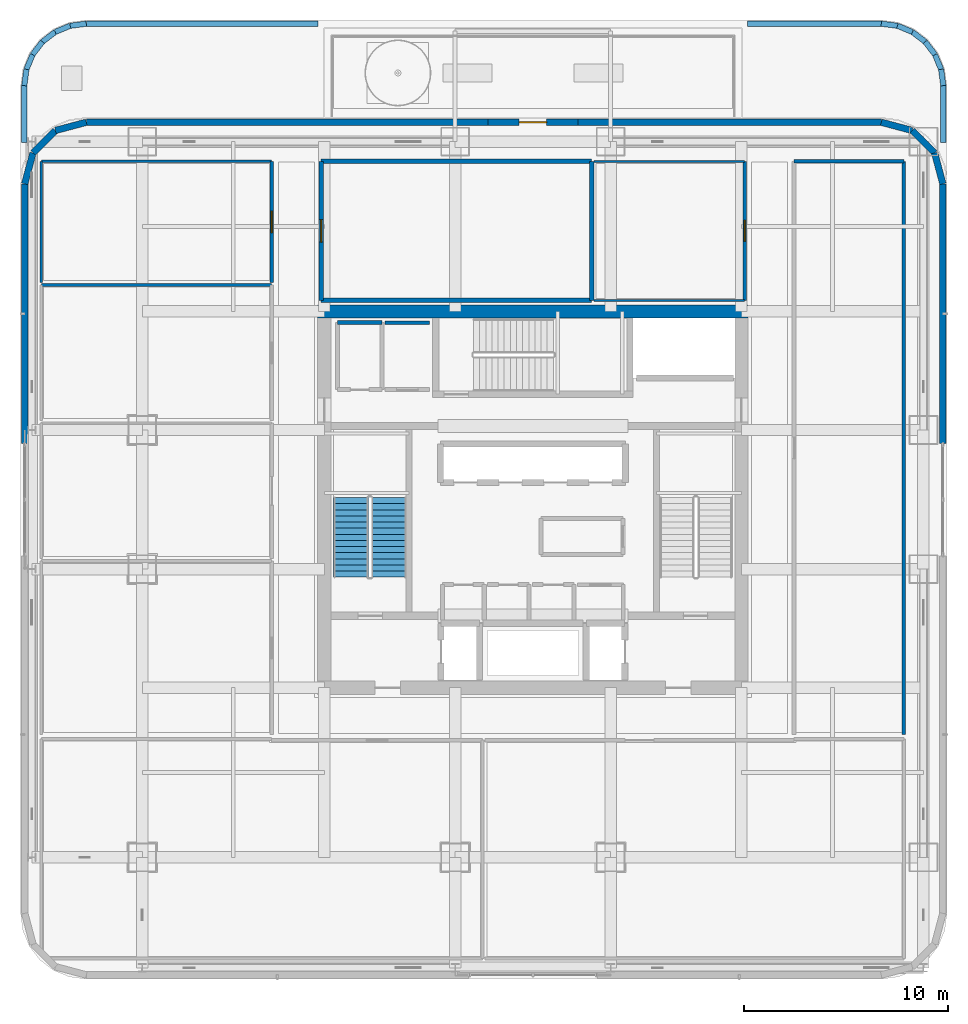
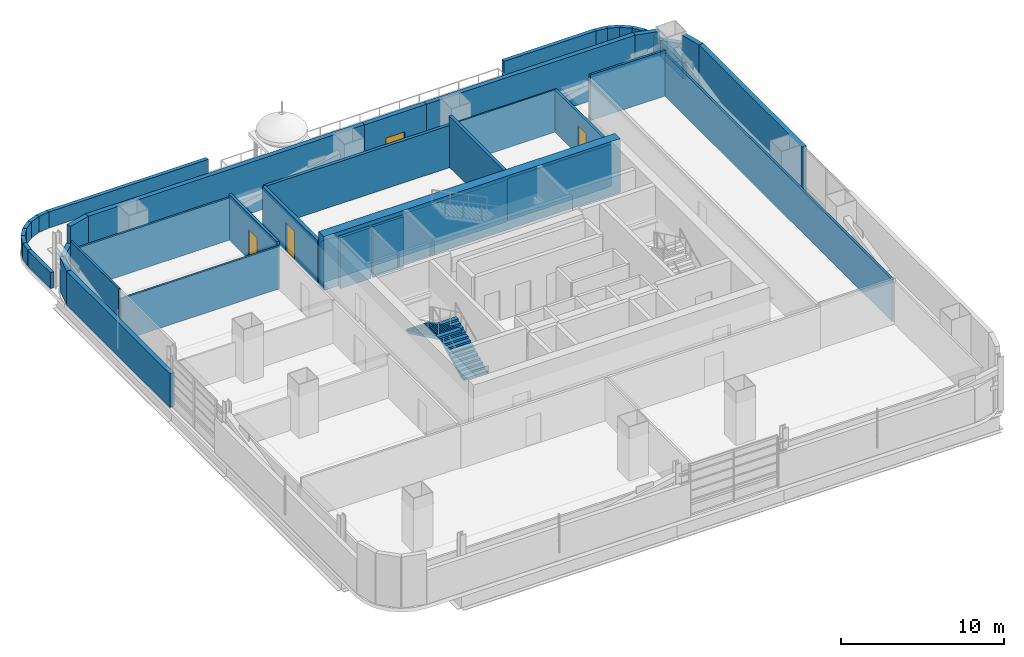
# One storey, part 12 of 29: 43 walls, 4 doors, 2 stair flights, 4 openings, 1 element without a shape of its own.
"""IFC4 building model written with IfcOpenShell, lengths in metres."""

from ifc_helpers import new_model, si_unit, direction, frame, frame_2d, origin, place, context, subcontext, project, spatial, polyline, rectangle, outline, extrude, material, layer, layer_set, type_object, element, fill, aggregate, save


model = new_model("IFC4")

# Units and contexts
model_context = context("Model", 3, precision=1e-05, world=origin(), true_north=direction((0.0, 1.0)))
body_context = subcontext(model_context, "Body", "Model", "MODEL_VIEW")
ifc_project = project(units=[si_unit("LENGTHUNIT", "METRE"), si_unit("AREAUNIT", "SQUARE_METRE"), si_unit("VOLUMEUNIT", "CUBIC_METRE"), si_unit("PLANEANGLEUNIT", "RADIAN"), si_unit("MASSUNIT", "GRAM", prefix="KILO")], contexts=[model_context])

# Site, building, storey
site_placement = place(None, origin())
site = spatial("IfcSite", under=ifc_project, at=site_placement, CompositionType="ELEMENT")
building_placement = place(site_placement, origin())
building = spatial("IfcBuilding", under=site, at=building_placement, Name="Punatoya Terracotta Tower", CompositionType="ELEMENT")
storey_placement = place(building_placement, frame((0.0, 0.0, 172.199951171875)))
storey = spatial("IfcBuildingStorey", under=building, at=storey_placement, Name="L40", CompositionType="ELEMENT", Elevation=172.199951171875)

# Walls
ifc_material_1 = material(Name="Concrete C60/75", Category="concrete")
ifc_layer_1 = layer(ifc_material_1, 0.64990234375)
ifc_layer_set_1 = layer_set([ifc_layer_1], Name="Concrete C60/75")
wall_type_1 = type_object("IfcWallType", Name="WL-COR-650", PredefinedType="SHEAR", material=ifc_layer_set_1)
wall_1_placement = place(storey_placement, frame((-10.52490234375, 9.199951171875, 0.0), z_axis=(0.0, 0.0, 1.0), x_axis=(1.0, 0.0, 0.0)))
element("IfcWall", 1, at=wall_1_placement, inside=storey, type_object=wall_type_1, Name="L40 Core Shear Wall N", PredefinedType="SHEAR", context=body_context, shape_type="SweptSolid", body=[
    extrude(rectangle(XDim=21.0498046875, YDim=0.64990234375, at=frame_2d((10.52490234375, 0.0))), origin(), (0.0, 0.0, 1.0), 4.050048828125),
])
ifc_material_2 = material(Name="Gypsum Fireboard + Steel Stud", Category="steel")
ifc_layer_2 = layer(ifc_material_2, 0.179931640625)
ifc_layer_set_2 = layer_set([ifc_layer_2], Name="Gypsum Fireboard + Steel Stud")
wall_type_2 = type_object("IfcWallType", Name="WL-CORR-180", PredefinedType="PARTITIONING", material=ifc_layer_set_2)
wall_2_placement = place(storey_placement, frame((-5.050048828125, 8.64990234375, 0.0), z_axis=(0.0, 0.0, 1.0), x_axis=(-1.0, 0.0, 0.0)))
element("IfcWall", 2, at=wall_2_placement, inside=storey, type_object=wall_type_2, Name="L40 West Core Print Room Partition 18", PredefinedType="PARTITIONING", context=body_context, shape_type="SweptSolid", body=[
    extrude(rectangle(XDim=2.169921875, YDim=0.179931640625, at=frame_2d((1.0849609375, 0.0))), origin(), (0.0, 0.0, 1.0), 3.830078125),
])

# Wall, opening, door
wall_3_placement = place(storey_placement, frame((10.360107421875, 16.5400390625, 0.0), z_axis=(0.0, 0.0, 1.0), x_axis=(0.0, -1.0, 0.0)))
wall_3 = element("IfcWall", 3, at=wall_3_placement, inside=storey, type_object=wall_type_2, Name="L40 Editorial Conference Room Partition 47", PredefinedType="PARTITIONING", context=body_context, shape_type="SweptSolid", body=[
    extrude(rectangle(XDim=6.800048828125, YDim=0.179931640625, at=frame_2d((3.39990234375, 0.0))), origin(), (0.0, 0.0, 1.0), 3.174072265625),
])
opening_1_placement = place(wall_3_placement, frame((2.889892578125, 0.0, 0.0)))
opening_1 = element("IfcOpeningElement", 4, at=opening_1_placement, cuts=wall_3, Name="Opening MD-01", PredefinedType="OPENING", context=body_context, shape_type="SweptSolid", body=[
    extrude(rectangle(XDim=1.02001953125, YDim=2.199951171875, at=frame_2d((0.510009765625, 1.10009765625))), frame((0.0, 0.099853515625, 0.0), z_axis=(0.0, -1.0, 0.0), x_axis=(1.0, 0.0, 0.0)), (0.0, 0.0, 1.0), 0.199951171875),
])
ifc_material_3 = material(Name="Aluminium + Acoustic Glass Leaf", Category="aluminium")
door_type_1 = type_object("IfcDoorType", Name="DR-MTG-1020", OperationType="NOTDEFINED", PredefinedType="DOOR", material=ifc_material_3)
door_1_placement = place(opening_1_placement, origin())
door_1 = element("IfcDoor", 5, at=door_1_placement, inside=storey, type_object=door_type_1, Name="L40 Editorial Conference Room Door", OperationType="SINGLE_SWING_LEFT", OverallHeight=2.199951171875, OverallWidth=1.02001953125, PredefinedType="DOOR", context=body_context, shape_type="SweptSolid", body=[
    extrude(rectangle(XDim=1.02001953125, YDim=2.199951171875, at=frame_2d((0.510009765625, 1.10009765625))), frame((0.0, 0.02490234375, 0.0), z_axis=(0.0, -1.0, 0.0), x_axis=(1.0, 0.0, 0.0)), (0.0, 0.0, 1.0), 0.050048828125),
])
fill(opening_1, door_1)

wall_4_placement = place(storey_placement, frame((-12.77001953125, 16.5400390625, 0.0), z_axis=(0.0, 0.0, 1.0), x_axis=(0.0, -1.0, 0.0)))
wall_4 = element("IfcWall", 6, at=wall_4_placement, inside=storey, type_object=wall_type_2, Name="L40 Client Briefing Office Partition 49", PredefinedType="PARTITIONING", context=body_context, shape_type="SweptSolid", body=[
    extrude(rectangle(XDim=5.926025390625, YDim=0.179931640625, at=frame_2d((2.962890625, 0.0))), origin(), (0.0, 0.0, 1.0), 3.424072265625),
])
opening_2_placement = place(wall_4_placement, frame((2.43798828125, 0.0, 0.0)))
opening_2 = element("IfcOpeningElement", 7, at=opening_2_placement, cuts=wall_4, Name="Opening OD-01", PredefinedType="OPENING", context=body_context, shape_type="SweptSolid", body=[
    extrude(rectangle(XDim=1.050048828125, YDim=2.199951171875, at=frame_2d((0.52490234375, 1.10009765625))), frame((0.0, 0.099853515625, 0.0), z_axis=(0.0, -1.0, 0.0), x_axis=(1.0, 0.0, 0.0)), (0.0, 0.0, 1.0), 0.199951171875),
])
ifc_material_4 = material(Name="Bengal Teak Solid-Core Leaf")
door_type_2 = type_object("IfcDoorType", Name="DR-OFF-1050", OperationType="NOTDEFINED", PredefinedType="DOOR", material=ifc_material_4)
door_2_placement = place(opening_2_placement, origin())
door_2 = element("IfcDoor", 8, at=door_2_placement, inside=storey, type_object=door_type_2, Name="L40 Client Briefing Office Door", OperationType="SINGLE_SWING_RIGHT", OverallHeight=2.199951171875, OverallWidth=1.050048828125, PredefinedType="DOOR", context=body_context, shape_type="SweptSolid", body=[
    extrude(rectangle(XDim=1.050048828125, YDim=2.199951171875, at=frame_2d((0.52490234375, 1.10009765625))), frame((0.0, 0.02490234375, 0.0), z_axis=(0.0, -1.0, 0.0), x_axis=(1.0, 0.0, 0.0)), (0.0, 0.0, 1.0), 0.050048828125),
])
fill(opening_2, door_2)

# Walls
ifc_material_5 = material(Name="Precast concrete C40/50", Category="concrete")
ifc_layer_3 = layer(ifc_material_5, 0.320068359375)
ifc_layer_set_3 = layer_set([ifc_layer_3], Name="Precast concrete C40/50")
wall_type_3 = type_object("IfcWallType", Name="WL-EXT-320", PredefinedType="SOLIDWALL", material=ifc_layer_set_3)
wall_5_placement = place(storey_placement, frame((20.050048828125, 2.75, 0.0), z_axis=(0.0, 0.0, 1.0), x_axis=(0.0, 1.0, 0.0)))
element("IfcWall", 9, at=wall_5_placement, inside=storey, type_object=wall_type_3, Name="L40 Terracotta Braced Facade Wall E2", PredefinedType="SOLIDWALL", context=body_context, shape_type="SweptSolid", body=[
    extrude(rectangle(XDim=12.68701171875, YDim=0.320068359375, at=frame_2d((6.343505859375, 0.0))), origin(), (0.0, 0.0, 1.0), 3.830078125),
])
wall_6_placement = place(storey_placement, frame((20.050048828125, 15.43701171875, 0.0), z_axis=(0.0, 0.0, 1.0), x_axis=(-0.257847112249, 0.966185730957, 0.0)))
element("IfcWall", 10, at=wall_6_placement, inside=storey, type_object=wall_type_3, Name="L40 Rounded Terracotta Corner Pier 06", PredefinedType="SOLIDWALL", context=body_context, shape_type="SweptSolid", body=[
    extrude(rectangle(XDim=1.565185546875, YDim=0.320068359375, at=frame_2d((0.78271484375, 0.0))), origin(), (0.0, 0.0, 1.0), 3.830078125),
])
wall_7_placement = place(storey_placement, frame((19.646484375, 16.94921875, 0.0), z_axis=(0.0, 0.0, 1.0), x_axis=(-0.707106781187, 0.707106781187, 0.0)))
element("IfcWall", 11, at=wall_7_placement, inside=storey, type_object=wall_type_3, Name="L40 Rounded Terracotta Corner Pier 07", PredefinedType="SOLIDWALL", context=body_context, shape_type="SweptSolid", body=[
    extrude(rectangle(XDim=1.552001953125, YDim=0.320068359375, at=frame_2d((0.77587890625, 0.0))), origin(), (0.0, 0.0, 1.0), 3.174072265625),
])
wall_8_placement = place(storey_placement, frame((18.549072265625, 18.046630859375, 0.0), z_axis=(0.0, 0.0, 1.0), x_axis=(-0.966224582397, 0.257701486942, 0.0)))
element("IfcWall", 12, at=wall_8_placement, inside=storey, type_object=wall_type_3, Name="L40 Rounded Terracotta Corner Pier 08", PredefinedType="SOLIDWALL", context=body_context, shape_type="SweptSolid", body=[
    extrude(rectangle(XDim=1.565185546875, YDim=0.320068359375, at=frame_2d((0.78271484375, 0.0))), origin(), (0.0, 0.0, 1.0), 3.830078125),
])
wall_9_placement = place(storey_placement, frame((17.036865234375, 18.449951171875, 0.0), z_axis=(0.0, 0.0, 1.0), x_axis=(-1.0, 0.0, 0.0)))
element("IfcWall", 13, at=wall_9_placement, inside=storey, type_object=wall_type_3, Name="L40 Terracotta Braced Facade Wall N", PredefinedType="SOLIDWALL", context=body_context, shape_type="SweptSolid", body=[
    extrude(rectangle(XDim=14.8369140625, YDim=0.320068359375, at=frame_2d((7.41845703125, 0.0))), origin(), (0.0, 0.0, 1.0), 3.830078125),
])
wall_10_placement = place(storey_placement, frame((-2.199951171875, 18.449951171875, 0.0), z_axis=(0.0, 0.0, 1.0), x_axis=(-1.0, 0.0, 0.0)))
element("IfcWall", 14, at=wall_10_placement, inside=storey, type_object=wall_type_3, Name="L40 Terracotta Braced Facade Wall N", PredefinedType="SOLIDWALL", context=body_context, shape_type="SweptSolid", body=[
    extrude(rectangle(XDim=19.636962890625, YDim=0.320068359375, at=frame_2d((9.818359375, 0.0))), origin(), (0.0, 0.0, 1.0), 3.830078125),
])

# Wall, opening, door
wall_11_placement = place(storey_placement, frame((2.199951171875, 18.449951171875, 0.0), z_axis=(0.0, 0.0, 1.0), x_axis=(-1.0, 0.0, 0.0)))
wall_11 = element("IfcWall", 15, at=wall_11_placement, inside=storey, type_object=wall_type_3, Name="L40 Sky-Terrace Portal Wall N", PredefinedType="SOLIDWALL", context=body_context, shape_type="SweptSolid", body=[
    extrude(rectangle(XDim=4.39990234375, YDim=0.320068359375, at=frame_2d((2.199951171875, 0.0))), origin(), (0.0, 0.0, 1.0), 3.830078125),
])
opening_3_placement = place(wall_11_placement, frame((1.52490234375, 0.0, 0.0)))
opening_3 = element("IfcOpeningElement", 16, at=opening_3_placement, cuts=wall_11, Name="Opening TD-02", PredefinedType="OPENING", context=body_context, shape_type="SweptSolid", body=[
    extrude(rectangle(XDim=1.35009765625, YDim=2.300048828125, at=frame_2d((0.675048828125, 1.14990234375))), frame((0.0, 0.169921875, 0.0), z_axis=(0.0, -1.0, 0.0), x_axis=(1.0, 0.0, 0.0)), (0.0, 0.0, 1.0), 0.340087890625),
])
ifc_material_6 = material(Name="Aluminium 6063-T6 + Low-E Glass", Category="aluminium")
door_type_3 = type_object("IfcDoorType", Name="DR-TER-1350", OperationType="NOTDEFINED", PredefinedType="DOOR", material=ifc_material_6)
door_3_placement = place(opening_3_placement, origin())
door_3 = element("IfcDoor", 17, at=door_3_placement, inside=storey, type_object=door_type_3, Name="L40 Sky-Terrace Access Door N1", OperationType="SINGLE_SWING_LEFT", OverallHeight=2.300048828125, OverallWidth=1.35009765625, PredefinedType="DOOR", context=body_context, shape_type="SweptSolid", body=[
    extrude(rectangle(XDim=1.35009765625, YDim=2.300048828125, at=frame_2d((0.675048828125, 1.14990234375))), frame((0.0, 0.02490234375, 0.0), z_axis=(0.0, -1.0, 0.0), x_axis=(1.0, 0.0, 0.0)), (0.0, 0.0, 1.0), 0.050048828125),
])
fill(opening_3, door_3)

# Walls
wall_12_placement = place(storey_placement, frame((-21.8369140625, 18.449951171875, 0.0), z_axis=(0.0, 0.0, 1.0), x_axis=(-0.966224582397, -0.257701486942, 0.0)))
element("IfcWall", 18, at=wall_12_placement, inside=storey, type_object=wall_type_3, Name="L40 Rounded Terracotta Corner Pier 10", PredefinedType="SOLIDWALL", context=body_context, shape_type="SweptSolid", body=[
    extrude(rectangle(XDim=1.565185546875, YDim=0.320068359375, at=frame_2d((0.78271484375, 0.0))), origin(), (0.0, 0.0, 1.0), 3.830078125),
])
wall_13_placement = place(storey_placement, frame((-23.34912109375, 18.046630859375, 0.0), z_axis=(0.0, 0.0, 1.0), x_axis=(-0.707106781187, -0.707106781187, 0.0)))
element("IfcWall", 19, at=wall_13_placement, inside=storey, type_object=wall_type_3, Name="L40 Rounded Terracotta Corner Pier 11", PredefinedType="SOLIDWALL", context=body_context, shape_type="SweptSolid", body=[
    extrude(rectangle(XDim=1.552001953125, YDim=0.320068359375, at=frame_2d((0.77587890625, 0.0))), origin(), (0.0, 0.0, 1.0), 2.504150390625),
])
wall_14_placement = place(storey_placement, frame((-24.446533203125, 16.94921875, 0.0), z_axis=(0.0, 0.0, 1.0), x_axis=(-0.257847112249, -0.966185730957, 0.0)))
element("IfcWall", 20, at=wall_14_placement, inside=storey, type_object=wall_type_3, Name="L40 Rounded Terracotta Corner Pier 12", PredefinedType="SOLIDWALL", context=body_context, shape_type="SweptSolid", body=[
    extrude(rectangle(XDim=1.565185546875, YDim=0.320068359375, at=frame_2d((0.78271484375, 0.0))), origin(), (0.0, 0.0, 1.0), 2.5439453125),
])
wall_15_placement = place(storey_placement, frame((-24.85009765625, 15.43701171875, 0.0), z_axis=(0.0, 0.0, 1.0), x_axis=(0.0, -1.0, 0.0)))
element("IfcWall", 21, at=wall_15_placement, inside=storey, type_object=wall_type_3, Name="L40 Terracotta Braced Facade Wall W1", PredefinedType="SOLIDWALL", context=body_context, shape_type="SweptSolid", body=[
    extrude(rectangle(XDim=12.68701171875, YDim=0.320068359375, at=frame_2d((6.343505859375, 0.0))), origin(), (0.0, 0.0, 1.0), 2.5439453125),
])
ifc_material_7 = material(Name="Concrete C40/50", Category="concrete")
ifc_layer_4 = layer(ifc_material_7, 0.219970703125)
ifc_layer_set_4 = layer_set([ifc_layer_4], Name="Concrete C40/50")
wall_type_4 = type_object("IfcWallType", Name="WL-FIR-220", PredefinedType="SOLIDWALL", material=ifc_layer_set_4)
wall_16_placement = place(storey_placement, frame((-10.360107421875, 16.5400390625, 0.0), z_axis=(0.0, 0.0, 1.0), x_axis=(1.0, 0.0, 0.0)))
element("IfcWall", 22, at=wall_16_placement, inside=storey, type_object=wall_type_4, Name="L40 Model-Making Archive Partition 41", PredefinedType="SOLIDWALL", context=body_context, shape_type="SweptSolid", body=[
    extrude(rectangle(XDim=13.234130859375, YDim=0.219970703125, at=frame_2d((6.6171875, 0.0))), origin(), (0.0, 0.0, 1.0), 3.174072265625),
])
wall_17_placement = place(storey_placement, frame((2.8740234375, 16.5400390625, 0.0), z_axis=(0.0, 0.0, 1.0), x_axis=(0.0, -1.0, 0.0)))
element("IfcWall", 23, at=wall_17_placement, inside=storey, type_object=wall_type_4, Name="L40 Model-Making Archive Partition 42", PredefinedType="SOLIDWALL", context=body_context, shape_type="SweptSolid", body=[
    extrude(rectangle(XDim=6.800048828125, YDim=0.219970703125, at=frame_2d((3.39990234375, 0.0))), origin(), (0.0, 0.0, 1.0), 3.830078125),
])
wall_18_placement = place(storey_placement, frame((2.8740234375, 9.739990234375, 0.0), z_axis=(0.0, 0.0, 1.0), x_axis=(-1.0, 0.0, 0.0)))
element("IfcWall", 24, at=wall_18_placement, inside=storey, type_object=wall_type_4, Name="L40 Model-Making Archive Partition 43", PredefinedType="SOLIDWALL", context=body_context, shape_type="SweptSolid", body=[
    extrude(rectangle(XDim=13.234130859375, YDim=0.219970703125, at=frame_2d((6.6171875, 0.0))), origin(), (0.0, 0.0, 1.0), 3.174072265625),
])

# Wall, opening, door
wall_19_placement = place(storey_placement, frame((-10.360107421875, 9.739990234375, 0.0), z_axis=(0.0, 0.0, 1.0), x_axis=(0.0, 1.0, 0.0)))
wall_19 = element("IfcWall", 25, at=wall_19_placement, inside=storey, type_object=wall_type_4, Name="L40 Model-Making Archive Partition 44", PredefinedType="SOLIDWALL", context=body_context, shape_type="SweptSolid", body=[
    extrude(rectangle(XDim=6.800048828125, YDim=0.219970703125, at=frame_2d((3.39990234375, 0.0))), origin(), (0.0, 0.0, 1.0), 3.174072265625),
])
opening_4_placement = place(wall_19_placement, frame((2.85009765625, 0.0, 0.0)))
opening_4 = element("IfcOpeningElement", 26, at=opening_4_placement, cuts=wall_19, Name="Opening FD-P1", PredefinedType="OPENING", context=body_context, shape_type="SweptSolid", body=[
    extrude(rectangle(XDim=1.10009765625, YDim=2.199951171875, at=frame_2d((0.550048828125, 1.10009765625))), frame((0.0, 0.119873046875, 0.0), z_axis=(0.0, -1.0, 0.0), x_axis=(1.0, 0.0, 0.0)), (0.0, 0.0, 1.0), 0.239990234375),
])
ifc_material_8 = material(Name="Galvanised Steel Plant Fire Door", Category="steel")
door_type_4 = type_object("IfcDoorType", Name="DR-PLT-1100", OperationType="NOTDEFINED", PredefinedType="DOOR", material=ifc_material_8)
door_4_placement = place(opening_4_placement, origin())
door_4 = element("IfcDoor", 27, at=door_4_placement, inside=storey, type_object=door_type_4, Name="L40 Model-Making Archive Fire Door", OperationType="SINGLE_SWING_RIGHT", OverallHeight=2.199951171875, OverallWidth=1.10009765625, PredefinedType="DOOR", context=body_context, shape_type="SweptSolid", body=[
    extrude(rectangle(XDim=1.10009765625, YDim=2.199951171875, at=frame_2d((0.550048828125, 1.10009765625))), frame((0.0, 0.02490234375, 0.0), z_axis=(0.0, -1.0, 0.0), x_axis=(1.0, 0.0, 0.0)), (0.0, 0.0, 1.0), 0.050048828125),
])
fill(opening_4, door_4)

# Walls
ifc_material_9 = material(Name="Aluminium Framed Acoustic Glass Partition", Category="aluminium")
ifc_layer_5 = layer(ifc_material_9, 0.10009765625)
ifc_layer_set_5 = layer_set([ifc_layer_5], Name="Aluminium Framed Acoustic Glass Partition")
wall_type_5 = type_object("IfcWallType", Name="WL-GLZ-100", PredefinedType="PARTITIONING", material=ifc_layer_set_5)
for number, where, z_axis, x_axis, name in (
    (28, (10.360107421875, 9.739990234375, 0.0), (0.0, 0.0, 1.0), (-1.0, 0.0, 0.0), "L40 Editorial Conference Room Partition 45"),
    (29, (2.993896484375, 16.5400390625, 0.0), (0.0, 0.0, 1.0), (1.0, 0.0, 0.0), "L40 Editorial Conference Room Partition 46"),
):
    element("IfcWall", number, at=place(storey_placement, frame(where, z_axis=z_axis, x_axis=x_axis)), inside=storey, type_object=wall_type_5, Name=name, PredefinedType="PARTITIONING", context=body_context, shape_type="SweptSolid", body=[
        extrude(rectangle(XDim=7.3662109375, YDim=0.10009765625, at=frame_2d((3.68310546875, 0.0))), origin(), (0.0, 0.0, 1.0), 3.174072265625),
    ])
ifc_layer_6 = layer(ifc_material_7, 0.199951171875)
ifc_layer_set_6 = layer_set([ifc_layer_6], Name="Concrete C40/50")
wall_type_6 = type_object("IfcWallType", Name="WL-INT-200", PredefinedType="SOLIDWALL", material=ifc_layer_set_6)
wall_20_placement = place(storey_placement, frame((-7.3798828125, 8.64990234375, 0.0), z_axis=(0.0, 0.0, 1.0), x_axis=(-1.0, 0.0, 0.0)))
element("IfcWall", 30, at=wall_20_placement, inside=storey, type_object=wall_type_6, Name="L40 West Core Archive Vault Partition 15", PredefinedType="SOLIDWALL", context=body_context, shape_type="SweptSolid", body=[
    extrude(rectangle(XDim=2.170166015625, YDim=0.199951171875, at=frame_2d((1.0849609375, 0.0))), origin(), (0.0, 0.0, 1.0), 3.830078125),
])
ifc_material_10 = material(Name="Acoustic Gypsum + Steel Stud", Category="steel")
ifc_layer_7 = layer(ifc_material_10, 0.139892578125)
ifc_layer_set_7 = layer_set([ifc_layer_7], Name="Acoustic Gypsum + Steel Stud")
wall_type_7 = type_object("IfcWallType", Name="WL-OFF-140", PredefinedType="PARTITIONING", material=ifc_layer_set_7)
for number, where, z_axis, x_axis, name in (
    (31, (-24.0400390625, 10.493896484375, 0.0), (0.0, 0.0, 1.0), (1.0, 0.0, 0.0), "L40 Acoustic Wellness Room Partition 38"),
    (32, (-24.0400390625, 16.5400390625, 0.0), (0.0, 0.0, 1.0), (1.0, 0.0, 0.0), "L40 Client Briefing Office Partition 48"),
):
    element("IfcWall", number, at=place(storey_placement, frame(where, z_axis=z_axis, x_axis=x_axis)), inside=storey, type_object=wall_type_7, Name=name, PredefinedType="PARTITIONING", context=body_context, shape_type="SweptSolid", body=[
        extrude(rectangle(XDim=11.27001953125, YDim=0.139892578125, at=frame_2d((5.635009765625, 0.0))), origin(), (0.0, 0.0, 1.0), 3.174072265625),
    ])
wall_21_placement = place(storey_placement, frame((-24.0400390625, 10.614013671875, 0.0), z_axis=(0.0, 0.0, 1.0), x_axis=(0.0, 1.0, 0.0)))
element("IfcWall", 33, at=wall_21_placement, inside=storey, type_object=wall_type_7, Name="L40 Client Briefing Office Partition 50", PredefinedType="PARTITIONING", context=body_context, shape_type="SweptSolid", body=[
    extrude(rectangle(XDim=5.926025390625, YDim=0.139892578125, at=frame_2d((2.962890625, 0.0))), origin(), (0.0, 0.0, 1.0), 3.830078125),
])
ifc_layer_8 = layer(ifc_material_5, 0.260009765625)
ifc_layer_set_8 = layer_set([ifc_layer_8], Name="Precast concrete C40/50")
wall_type_8 = type_object("IfcWallType", Name="WL-PAR-260", PredefinedType="PARAPET", material=ifc_layer_set_8)
wall_22_placement = place(storey_placement, frame((20.070068359375, 17.465087890625, 0.0), z_axis=(0.0, 0.0, 1.0), x_axis=(0.0, 1.0, 0.0)))
element("IfcWall", 34, at=wall_22_placement, inside=storey, type_object=wall_type_8, Name="L40 Roof Parapet Wall PAR-L40-RF-01", PredefinedType="PARAPET", context=body_context, shape_type="SweptSolid", body=[
    extrude(rectangle(XDim=2.773193359375, YDim=0.260009765625, at=frame_2d((1.38671875, 0.0))), origin(), (0.0, 0.0, 1.0), 1.199951171875),
])
wall_23_placement = place(storey_placement, frame((20.070068359375, 20.23828125, 0.0), z_axis=(0.0, 0.0, 1.0), x_axis=(-0.130644014367, 0.991429342672, 0.0)))
element("IfcWall", 35, at=wall_23_placement, inside=storey, type_object=wall_type_8, Name="L40 Roof Parapet Wall PAR-L40-RF-02", PredefinedType="PARAPET", context=body_context, shape_type="SweptSolid", body=[
    extrude(rectangle(XDim=0.7998046875, YDim=0.260009765625, at=frame_2d((0.39990234375, 0.0))), origin(), (0.0, 0.0, 1.0), 1.199951171875),
])
wall_24_placement = place(storey_placement, frame((19.965576171875, 21.03125, 0.0), z_axis=(0.0, 0.0, 1.0), x_axis=(-0.38263454961, 0.923899778896, 0.0)))
element("IfcWall", 36, at=wall_24_placement, inside=storey, type_object=wall_type_8, Name="L40 Roof Parapet Wall PAR-L40-RF-03", PredefinedType="PARAPET", context=body_context, shape_type="SweptSolid", body=[
    extrude(rectangle(XDim=0.7880859375, YDim=0.260009765625, at=frame_2d((0.39404296875, 0.0))), origin(), (0.0, 0.0, 1.0), 1.199951171875),
])
wall_25_placement = place(storey_placement, frame((19.6640625, 21.75927734375, 0.0), z_axis=(0.0, 0.0, 1.0), x_axis=(-0.608886809997, 0.793257116332, 0.0)))
element("IfcWall", 37, at=wall_25_placement, inside=storey, type_object=wall_type_8, Name="L40 Roof Parapet Wall PAR-L40-RF-04", PredefinedType="PARAPET", context=body_context, shape_type="SweptSolid", body=[
    extrude(rectangle(XDim=0.787841796875, YDim=0.260009765625, at=frame_2d((0.39404296875, 0.0))), origin(), (0.0, 0.0, 1.0), 1.199951171875),
])
wall_26_placement = place(storey_placement, frame((19.184326171875, 22.38427734375, 0.0), z_axis=(0.0, 0.0, 1.0), x_axis=(-0.793371954706, 0.608737169464, 0.0)))
element("IfcWall", 38, at=wall_26_placement, inside=storey, type_object=wall_type_8, Name="L40 Roof Parapet Wall PAR-L40-RF-05", PredefinedType="PARAPET", context=body_context, shape_type="SweptSolid", body=[
    extrude(rectangle(XDim=0.7880859375, YDim=0.260009765625, at=frame_2d((0.39404296875, 0.0))), origin(), (0.0, 0.0, 1.0), 1.199951171875),
])
wall_27_placement = place(storey_placement, frame((18.55908203125, 22.864013671875, 0.0), z_axis=(0.0, 0.0, 1.0), x_axis=(-0.923854398102, 0.38274410656, 0.0)))
element("IfcWall", 39, at=wall_27_placement, inside=storey, type_object=wall_type_8, Name="L40 Roof Parapet Wall PAR-L40-RF-06", PredefinedType="PARAPET", context=body_context, shape_type="SweptSolid", body=[
    extrude(rectangle(XDim=0.787841796875, YDim=0.260009765625, at=frame_2d((0.39404296875, 0.0))), origin(), (0.0, 0.0, 1.0), 1.199951171875),
])
wall_28_placement = place(storey_placement, frame((17.831298828125, 23.16552734375, 0.0), z_axis=(0.0, 0.0, 1.0), x_axis=(-0.991434550152, 0.130604489832, 0.0)))
element("IfcWall", 40, at=wall_28_placement, inside=storey, type_object=wall_type_8, Name="L40 Roof Parapet Wall PAR-L40-RF-07", PredefinedType="PARAPET", context=body_context, shape_type="SweptSolid", body=[
    extrude(rectangle(XDim=0.800048828125, YDim=0.260009765625, at=frame_2d((0.39990234375, 0.0))), origin(), (0.0, 0.0, 1.0), 1.199951171875),
])
wall_29_placement = place(storey_placement, frame((17.0380859375, 23.27001953125, 0.0), z_axis=(0.0, 0.0, 1.0), x_axis=(-1.0, 0.0, 0.0)))
element("IfcWall", 41, at=wall_29_placement, inside=storey, type_object=wall_type_8, Name="L40 Roof Parapet Wall PAR-L40-RF-08", PredefinedType="PARAPET", context=body_context, shape_type="SweptSolid", body=[
    extrude(rectangle(XDim=6.5380859375, YDim=0.260009765625, at=frame_2d((3.26904296875, 0.0))), origin(), (0.0, 0.0, 1.0), 1.199951171875),
])
wall_30_placement = place(storey_placement, frame((-10.5, 23.27001953125, 0.0), z_axis=(0.0, 0.0, 1.0), x_axis=(-1.0, 0.0, 0.0)))
element("IfcWall", 42, at=wall_30_placement, inside=storey, type_object=wall_type_8, Name="L40 Roof Parapet Wall PAR-L40-RF-09", PredefinedType="PARAPET", context=body_context, shape_type="SweptSolid", body=[
    extrude(rectangle(XDim=11.338134765625, YDim=0.260009765625, at=frame_2d((5.6689453125, 0.0))), origin(), (0.0, 0.0, 1.0), 1.199951171875),
])
wall_31_placement = place(storey_placement, frame((-21.838134765625, 23.27001953125, 0.0), z_axis=(0.0, 0.0, 1.0), x_axis=(-0.991429342672, -0.130644014367, 0.0)))
element("IfcWall", 43, at=wall_31_placement, inside=storey, type_object=wall_type_8, Name="L40 Roof Parapet Wall PAR-L40-RF-10", PredefinedType="PARAPET", context=body_context, shape_type="SweptSolid", body=[
    extrude(rectangle(XDim=0.7998046875, YDim=0.260009765625, at=frame_2d((0.39990234375, 0.0))), origin(), (0.0, 0.0, 1.0), 1.199951171875),
])
for number, where, z_axis, x_axis, name in (
    (44, (-22.631103515625, 23.16552734375, 0.0), (0.0, 0.0, 1.0), (-0.923899778896, -0.38263454961, 0.0), "L40 Roof Parapet Wall PAR-L40-RF-11"),
    (45, (-23.359130859375, 22.864013671875, 0.0), (0.0, 0.0, 1.0), (-0.793371954706, -0.608737169464, 0.0), "L40 Roof Parapet Wall PAR-L40-RF-12"),
):
    element("IfcWall", number, at=place(storey_placement, frame(where, z_axis=z_axis, x_axis=x_axis)), inside=storey, type_object=wall_type_8, Name=name, PredefinedType="PARAPET", context=body_context, shape_type="SweptSolid", body=[
        extrude(rectangle(XDim=0.7880859375, YDim=0.260009765625, at=frame_2d((0.39404296875, 0.0))), origin(), (0.0, 0.0, 1.0), 1.199951171875),
    ])
wall_32_placement = place(storey_placement, frame((-23.984375, 22.38427734375, 0.0), z_axis=(0.0, 0.0, 1.0), x_axis=(-0.608886809997, -0.793257116332, 0.0)))
element("IfcWall", 46, at=wall_32_placement, inside=storey, type_object=wall_type_8, Name="L40 Roof Parapet Wall PAR-L40-RF-13", PredefinedType="PARAPET", context=body_context, shape_type="SweptSolid", body=[
    extrude(rectangle(XDim=0.787841796875, YDim=0.260009765625, at=frame_2d((0.39404296875, 0.0))), origin(), (0.0, 0.0, 1.0), 1.199951171875),
])
wall_33_placement = place(storey_placement, frame((-24.464111328125, 21.75927734375, 0.0), z_axis=(0.0, 0.0, 1.0), x_axis=(-0.38263454961, -0.923899778896, 0.0)))
element("IfcWall", 47, at=wall_33_placement, inside=storey, type_object=wall_type_8, Name="L40 Roof Parapet Wall PAR-L40-RF-14", PredefinedType="PARAPET", context=body_context, shape_type="SweptSolid", body=[
    extrude(rectangle(XDim=0.7880859375, YDim=0.260009765625, at=frame_2d((0.39404296875, 0.0))), origin(), (0.0, 0.0, 1.0), 1.199951171875),
])
wall_34_placement = place(storey_placement, frame((-24.765625, 21.03125, 0.0), z_axis=(0.0, 0.0, 1.0), x_axis=(-0.130644014367, -0.991429342672, 0.0)))
element("IfcWall", 48, at=wall_34_placement, inside=storey, type_object=wall_type_8, Name="L40 Roof Parapet Wall PAR-L40-RF-15", PredefinedType="PARAPET", context=body_context, shape_type="SweptSolid", body=[
    extrude(rectangle(XDim=0.7998046875, YDim=0.260009765625, at=frame_2d((0.39990234375, 0.0))), origin(), (0.0, 0.0, 1.0), 1.199951171875),
])
wall_35_placement = place(storey_placement, frame((-24.8701171875, 20.23828125, 0.0), z_axis=(0.0, 0.0, 1.0), x_axis=(0.0, -1.0, 0.0)))
element("IfcWall", 49, at=wall_35_placement, inside=storey, type_object=wall_type_8, Name="L40 Roof Parapet Wall PAR-L40-RF-16", PredefinedType="PARAPET", context=body_context, shape_type="SweptSolid", body=[
    extrude(rectangle(XDim=2.773193359375, YDim=0.260009765625, at=frame_2d((1.38671875, 0.0))), origin(), (0.0, 0.0, 1.0), 1.199951171875),
])
ifc_material_11 = material(Name="Masonry Blockwork + Ceramic Tile", Category="masonry")
ifc_layer_9 = layer(ifc_material_11, 0.159912109375)
ifc_layer_set_9 = layer_set([ifc_layer_9], Name="Masonry Blockwork + Ceramic Tile")
wall_type_9 = type_object("IfcWallType", Name="WL-WET-160", PredefinedType="PARTITIONING", material=ifc_layer_set_9)
wall_36_placement = place(storey_placement, frame((12.77001953125, 16.5400390625, 0.0), z_axis=(0.0, 0.0, 1.0), x_axis=(1.0, 0.0, 0.0)))
element("IfcWall", 50, at=wall_36_placement, inside=storey, type_object=wall_type_9, Name="L40 Hospitality Tea Pantry Partition 35", PredefinedType="PARTITIONING", context=body_context, shape_type="SweptSolid", body=[
    extrude(rectangle(XDim=5.369873046875, YDim=0.159912109375, at=frame_2d((2.68505859375, 0.0))), origin(), (0.0, 0.0, 1.0), 3.424072265625),
])
wall_37_placement = place(storey_placement, frame((18.139892578125, 16.5400390625, 0.0), z_axis=(0.0, 0.0, 1.0), x_axis=(0.0, -1.0, 0.0)))
element("IfcWall", 51, at=wall_37_placement, inside=storey, type_object=wall_type_9, Name="L40 Hospitality Tea Pantry Partition 36", PredefinedType="PARTITIONING", context=body_context, shape_type="SweptSolid", body=[
    extrude(rectangle(XDim=28.030029296875, YDim=0.159912109375, at=frame_2d((14.01513671875, 0.0))), origin(), (0.0, 0.0, 1.0), 3.174072265625),
])

# Stair, stair flights
stair_type = type_object("IfcStairType", Name="STR-CORE-1550", PredefinedType="HALF_TURN_STAIR", material=ifc_material_7)
stair_placement = place(storey_placement, origin())
stair = element("IfcStair", 52, at=stair_placement, inside=storey, type_object=stair_type, Name="L40 Protected Core Exit Stair ST-1", PredefinedType="HALF_TURN_STAIR")
stair_flight_type = type_object("IfcStairFlightType", Name="SFL-CORE-1550", PredefinedType="STRAIGHT", material=ifc_material_7)
stair_flight_1_placement = place(storey_placement, frame((-7.050048828125, -3.800048828125, 0.0), z_axis=(0.0, 0.0, 1.0), x_axis=(0.0, 1.0, 0.0)))
stair_flight_1 = element("IfcStairFlight", 53, at=stair_flight_1_placement, type_object=stair_flight_type, Name="ST-1 flight 1", NumberOfRisers=14, NumberOfTreads=13, PredefinedType="STRAIGHT", RiserHeight=0.144642857, TreadLength=0.3, context=body_context, shape_type="SweptSolid", body=[
    extrude(outline(polyline([(0.0, 0.0), (0.0, 0.14453125), (0.300048828125, 0.14453125), (0.300048828125, 0.289306640625), (0.60009765625, 0.289306640625), (0.60009765625, 0.433837890625), (0.89990234375, 0.433837890625), (0.89990234375, 0.57861328125), (1.199951171875, 0.57861328125), (1.199951171875, 0.72314453125), (1.5, 0.72314453125), (1.5, 0.867919921875), (1.800048828125, 0.867919921875), (1.800048828125, 1.012451171875), (2.10009765625, 1.012451171875), (2.10009765625, 1.1572265625), (2.39990234375, 1.1572265625), (2.39990234375, 1.3017578125), (2.699951171875, 1.3017578125), (2.699951171875, 1.446533203125), (3.0, 1.446533203125), (3.0, 1.591064453125), (3.300048828125, 1.591064453125), (3.300048828125, 1.735595703125), (3.60009765625, 1.735595703125), (3.60009765625, 1.88037109375), (3.89990234375, 1.88037109375), (3.89990234375, 2.02490234375), (3.89990234375, 1.7138671875), (0.34521484375, 0.0), (0.0, 0.0)])), frame((0.0, 0.85009765625, 0.0), z_axis=(0.0, -1.0, 0.0), x_axis=(1.0, 0.0, 0.0)), (0.0, 0.0, 1.0), 1.699951171875),
])
stair_flight_2_placement = place(storey_placement, frame((-8.89990234375, 0.10009765625, 2.025146484375), z_axis=(0.0, 0.0, 1.0), x_axis=(0.0, -1.0, 0.0)))
stair_flight_2 = element("IfcStairFlight", 54, at=stair_flight_2_placement, type_object=stair_flight_type, Name="ST-1 flight 2", NumberOfRisers=14, NumberOfTreads=13, PredefinedType="STRAIGHT", RiserHeight=0.144642857, TreadLength=0.3, context=body_context, shape_type="SweptSolid", body=[
    extrude(outline(polyline([(0.0, 0.0), (0.0, 0.14453125), (0.300048828125, 0.14453125), (0.300048828125, 0.289306640625), (0.60009765625, 0.289306640625), (0.60009765625, 0.433837890625), (0.89990234375, 0.433837890625), (0.89990234375, 0.57861328125), (1.199951171875, 0.57861328125), (1.199951171875, 0.72314453125), (1.5, 0.72314453125), (1.5, 0.867919921875), (1.800048828125, 0.867919921875), (1.800048828125, 1.012451171875), (2.10009765625, 1.012451171875), (2.10009765625, 1.1572265625), (2.39990234375, 1.1572265625), (2.39990234375, 1.3017578125), (2.699951171875, 1.3017578125), (2.699951171875, 1.446533203125), (3.0, 1.446533203125), (3.0, 1.591064453125), (3.300048828125, 1.591064453125), (3.300048828125, 1.735595703125), (3.60009765625, 1.735595703125), (3.60009765625, 1.88037109375), (3.89990234375, 1.88037109375), (3.89990234375, 2.02490234375), (3.89990234375, 1.7138671875), (0.34521484375, 0.0), (0.0, 0.0)])), frame((0.0, 0.85009765625, 0.0), z_axis=(0.0, -1.0, 0.0), x_axis=(1.0, 0.0, 0.0)), (0.0, 0.0, 1.0), 1.699951171875),
])
aggregate(stair, [stair_flight_1, stair_flight_2])

save(model, "model.ifc")
